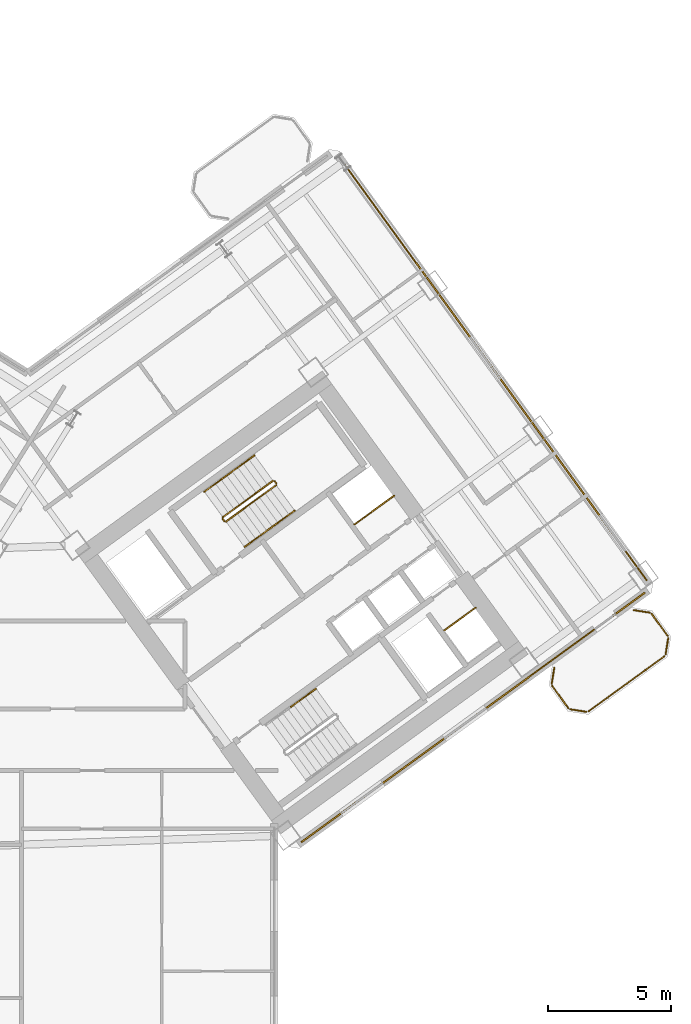
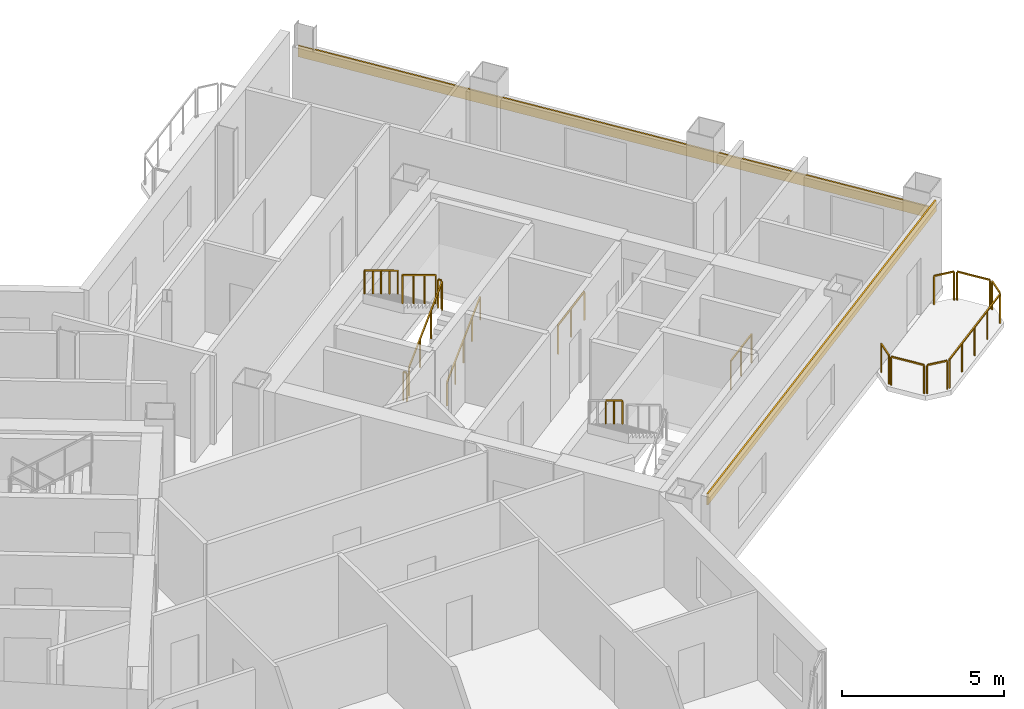
# One storey, part 20 of 21: 18 railings, 2 coverings.
"""IFC4 building model written with IfcOpenShell, lengths in metres."""

from ifc_helpers import new_model, si_unit, direction, frame, origin, origin_2d, place, context, subcontext, project, spatial, rectangle, extrude, source, transform, mapped, material, layer, layer_set, type_object, element, save


model = new_model("IFC4")

# Units and contexts
model_context = context("Model", 3, precision=1e-05, world=origin(), true_north=direction((0.0, 1.0)))
body_context = subcontext(model_context, "Body", "Model", "MODEL_VIEW")
ifc_project = project(units=[si_unit("LENGTHUNIT", "METRE"), si_unit("AREAUNIT", "SQUARE_METRE"), si_unit("VOLUMEUNIT", "CUBIC_METRE"), si_unit("PLANEANGLEUNIT", "RADIAN"), si_unit("MASSUNIT", "GRAM", prefix="KILO")], contexts=[model_context])

# Site, building, storey
site_placement = place(None, origin())
site = spatial("IfcSite", under=ifc_project, at=site_placement, CompositionType="ELEMENT")
building_placement = place(site_placement, origin())
building = spatial("IfcBuilding", under=site, at=building_placement, Name="Tlacorven Tower", CompositionType="ELEMENT")
storey_placement = place(building_placement, frame((0.0, 0.0, 90.0)))
storey = spatial("IfcBuildingStorey", under=building, at=storey_placement, Name="L22", CompositionType="ELEMENT", Elevation=90.0)

# Railings
ifc_material_1 = material(Name="Aluminium and painted steel balustrade", Category="steel")
railing_type_1 = type_object("IfcRailingType", Name="RL-GRD-1100", PredefinedType="GUARDRAIL", material=ifc_material_1)
shared_shape_1 = source(origin(), body_context, "Body", "SweptSolid", [
    extrude(rectangle(XDim=0.048095703125, YDim=0.048095703125, at=origin_2d()), frame((0.0, 0.0, 1.076171875), z_axis=(0.808947177504, 0.587881334972, 0.0), x_axis=(-0.587881334972, 0.808947177504, 0.0)), (0.0, 0.0, 1.0), 2.0),
    extrude(rectangle(XDim=0.0419921875, YDim=0.0419921875, at=origin_2d()), origin(), (0.0, 0.0, 1.0), 1.052001953125),
    extrude(rectangle(XDim=0.0419921875, YDim=0.0419921875, at=origin_2d()), frame((0.80908203125, 0.587890625, 0.0)), (0.0, 0.0, 1.0), 1.052001953125),
    extrude(rectangle(XDim=0.0419921875, YDim=0.0419921875, at=origin_2d()), frame((1.617919921875, 1.17578125, 0.0)), (0.0, 0.0, 1.0), 1.052001953125),
])
railing_1_placement = place(storey_placement, frame((55.506103515625, 25.438232421875, 0.0)))
element("IfcRailing", 1, at=railing_1_placement, inside=storey, type_object=railing_type_1, Name="L22 Electrical Riser E Shaft Guard 1", PredefinedType="GUARDRAIL", context=body_context, shape_type="MappedRepresentation", body=[
    mapped(shared_shape_1, transform((0.0, 0.0, 0.0), scale=1.0)),
])
shared_shape_2 = source(origin(), body_context, "Body", "SweptSolid", [
    extrude(rectangle(XDim=0.048095703125, YDim=0.048095703125, at=origin_2d()), frame((0.0, 0.0, 1.076171875), z_axis=(0.809029975545, 0.58776738483, 0.0), x_axis=(-0.58776738483, 0.809029975545, 0.0)), (0.0, 0.0, 1.0), 1.580078125),
    extrude(rectangle(XDim=0.0419921875, YDim=0.0419921875, at=origin_2d()), origin(), (0.0, 0.0, 1.0), 1.052001953125),
    extrude(rectangle(XDim=0.0419921875, YDim=0.0419921875, at=origin_2d()), frame((0.63916015625, 0.46435546875, 0.0)), (0.0, 0.0, 1.0), 1.052001953125),
    extrude(rectangle(XDim=0.0419921875, YDim=0.0419921875, at=origin_2d()), frame((1.2783203125, 0.9287109375, 0.0)), (0.0, 0.0, 1.0), 1.052001953125),
])
railing_2_placement = place(storey_placement, frame((59.160888671875, 21.122314453125, 0.0)))
element("IfcRailing", 2, at=railing_2_placement, inside=storey, type_object=railing_type_1, Name="L22 Smoke Riser E Shaft Guard 1", PredefinedType="GUARDRAIL", context=body_context, shape_type="MappedRepresentation", body=[
    mapped(shared_shape_2, transform((0.0, 0.0, 0.0), scale=1.0)),
])
railing_type_2 = type_object("IfcRailingType", Name="RL-BAL-1100", PredefinedType="BALUSTRADE", material=ifc_material_1)
shared_shape_3 = source(origin(), body_context, "Body", "SweptSolid", [
    extrude(rectangle(XDim=0.048095703125, YDim=0.048095703125, at=origin_2d()), frame((0.0, 0.0, 1.076171875), z_axis=(0.156602868908, 0.987661653326, 0.0), x_axis=(-0.987661653326, 0.156602868908, 0.0)), (0.0, 0.0, 1.0), 0.665771484375),
    extrude(rectangle(XDim=0.0419921875, YDim=0.0419921875, at=origin_2d()), origin(), (0.0, 0.0, 1.0), 1.052001953125),
    extrude(rectangle(XDim=0.0419921875, YDim=0.0419921875, at=origin_2d()), frame((0.104248046875, 0.657470703125, 0.0)), (0.0, 0.0, 1.0), 1.052001953125),
])
railing_3_placement = place(storey_placement, frame((63.539306640625, 18.949951171875, 0.0)))
element("IfcRailing", 3, at=railing_3_placement, inside=storey, type_object=railing_type_2, Name="BAL-L22-E-OUT Guard Railing 3", PredefinedType="BALUSTRADE", context=body_context, shape_type="MappedRepresentation", body=[
    mapped(shared_shape_3, transform((0.0, 0.0, 0.0), scale=1.0)),
])
shared_shape_4 = source(origin(), body_context, "Body", "SweptSolid", [
    extrude(rectangle(XDim=0.048095703125, YDim=0.048095703125, at=origin_2d()), frame((0.0, 0.0, 1.076171875), z_axis=(0.58788449985, -0.808944877501, 0.0), x_axis=(0.808944877501, 0.58788449985, 0.0)), (0.0, 0.0, 1.0), 1.112060546875),
    extrude(rectangle(XDim=0.0419921875, YDim=0.0419921875, at=origin_2d()), origin(), (0.0, 0.0, 1.0), 1.052001953125),
    extrude(rectangle(XDim=0.0419921875, YDim=0.0419921875, at=origin_2d()), frame((0.65380859375, -0.899658203125, 0.0)), (0.0, 0.0, 1.0), 1.052001953125),
])
railing_4_placement = place(storey_placement, frame((67.60595703125, 21.799072265625, 0.0)))
element("IfcRailing", 4, at=railing_4_placement, inside=storey, type_object=railing_type_2, Name="BAL-L22-E-OUT Guard Railing 5", PredefinedType="BALUSTRADE", context=body_context, shape_type="MappedRepresentation", body=[
    mapped(shared_shape_4, transform((0.0, 0.0, 0.0), scale=1.0)),
])
shared_shape_5 = source(origin(), body_context, "Body", "SweptSolid", [
    extrude(rectangle(XDim=0.048095703125, YDim=0.048095703125, at=origin_2d()), frame((0.0, 0.0, 1.076171875), z_axis=(-0.809018102573, -0.587783726986, 0.0), x_axis=(0.587783726986, -0.809018102573, 0.0)), (0.0, 0.0, 1.0), 3.817138671875),
    extrude(rectangle(XDim=0.0419921875, YDim=0.0419921875, at=origin_2d()), origin(), (0.0, 0.0, 1.0), 1.052001953125),
    extrude(rectangle(XDim=0.0419921875, YDim=0.0419921875, at=origin_2d()), frame((-0.77197265625, -0.56103515625, 0.0)), (0.0, 0.0, 1.0), 1.052001953125),
    extrude(rectangle(XDim=0.0419921875, YDim=0.0419921875, at=origin_2d()), frame((-1.5439453125, -1.121826171875, 0.0)), (0.0, 0.0, 1.0), 1.052001953125),
    extrude(rectangle(XDim=0.0419921875, YDim=0.0419921875, at=origin_2d()), frame((-2.316162109375, -1.6826171875, 0.0)), (0.0, 0.0, 1.0), 1.052001953125),
    extrude(rectangle(XDim=0.0419921875, YDim=0.0419921875, at=origin_2d()), frame((-3.088134765625, -2.24365234375, 0.0)), (0.0, 0.0, 1.0), 1.052001953125),
])
railing_5_placement = place(storey_placement, frame((68.12890625, 20.0732421875, 0.0)))
element("IfcRailing", 5, at=railing_5_placement, inside=storey, type_object=railing_type_2, Name="BAL-L22-E-OUT Guard Railing 7", PredefinedType="BALUSTRADE", context=body_context, shape_type="MappedRepresentation", body=[
    mapped(shared_shape_5, transform((0.0, 0.0, 0.0), scale=1.0)),
])
shared_shape_6 = source(origin(), body_context, "Body", "SweptSolid", [
    extrude(rectangle(XDim=0.048095703125, YDim=0.048095703125, at=origin_2d()), frame((0.0, 0.0, 1.076171875), z_axis=(-0.987718317463, 0.156245081039, 0.0), x_axis=(-0.156245081039, -0.987718317463, 0.0)), (0.0, 0.0, 1.0), 0.66552734375),
    extrude(rectangle(XDim=0.0419921875, YDim=0.0419921875, at=origin_2d()), origin(), (0.0, 0.0, 1.0), 1.052001953125),
    extrude(rectangle(XDim=0.0419921875, YDim=0.0419921875, at=origin_2d()), frame((-0.657470703125, 0.10400390625, 0.0)), (0.0, 0.0, 1.0), 1.052001953125),
])
railing_6_placement = place(storey_placement, frame((64.950927734375, 17.80810546875, 0.0)))
element("IfcRailing", 6, at=railing_6_placement, inside=storey, type_object=railing_type_2, Name="BAL-L22-E-OUT Guard Railing 1", PredefinedType="BALUSTRADE", context=body_context, shape_type="MappedRepresentation", body=[
    mapped(shared_shape_6, transform((0.0, 0.0, 0.0), scale=1.0)),
])
shared_shape_7 = source(origin(), body_context, "Body", "SweptSolid", [
    extrude(rectangle(XDim=0.048095703125, YDim=0.048095703125, at=origin_2d()), frame((0.0, 0.0, 1.076171875), z_axis=(-0.587740817519, 0.809049276263, 0.0), x_axis=(-0.809049276263, -0.587740817519, 0.0)), (0.0, 0.0, 1.0), 1.112060546875),
    extrude(rectangle(XDim=0.0419921875, YDim=0.0419921875, at=origin_2d()), origin(), (0.0, 0.0, 1.0), 1.052001953125),
    extrude(rectangle(XDim=0.0419921875, YDim=0.0419921875, at=origin_2d()), frame((-0.653564453125, 0.899658203125, 0.0)), (0.0, 0.0, 1.0), 1.052001953125),
])
railing_7_placement = place(storey_placement, frame((64.214599609375, 17.96044921875, 0.0)))
element("IfcRailing", 7, at=railing_7_placement, inside=storey, type_object=railing_type_2, Name="BAL-L22-E-OUT Guard Railing 2", PredefinedType="BALUSTRADE", context=body_context, shape_type="MappedRepresentation", body=[
    mapped(shared_shape_7, transform((0.0, 0.0, 0.0), scale=1.0)),
])
shared_shape_8 = source(origin(), body_context, "Body", "SweptSolid", [
    extrude(rectangle(XDim=0.048095703125, YDim=0.048095703125, at=origin_2d()), frame((0.0, 0.0, 1.076171875), z_axis=(-0.156245081039, -0.987718317463, 0.0), x_axis=(0.987718317463, -0.156245081039, 0.0)), (0.0, 0.0, 1.0), 0.66552734375),
    extrude(rectangle(XDim=0.0419921875, YDim=0.0419921875, at=origin_2d()), origin(), (0.0, 0.0, 1.0), 1.052001953125),
    extrude(rectangle(XDim=0.0419921875, YDim=0.0419921875, at=origin_2d()), frame((-0.10400390625, -0.657470703125, 0.0)), (0.0, 0.0, 1.0), 1.052001953125),
])
railing_8_placement = place(storey_placement, frame((68.28125, 20.8095703125, 0.0)))
element("IfcRailing", 8, at=railing_8_placement, inside=storey, type_object=railing_type_2, Name="BAL-L22-E-OUT Guard Railing 6", PredefinedType="BALUSTRADE", context=body_context, shape_type="MappedRepresentation", body=[
    mapped(shared_shape_8, transform((0.0, 0.0, 0.0), scale=1.0)),
])

# Coverings
ifc_material_2 = material(Name="Precast concrete C45/55", Category="concrete")
ifc_layer = layer(ifc_material_2, 0.06005859375)
ifc_layer_set = layer_set([ifc_layer], Name="Precast concrete C45/55")
covering_type = type_object("IfcCoveringType", Name="CV-CLD-TERC", PredefinedType="CLADDING", material=ifc_layer_set)
shared_shape_9 = source(origin(), body_context, "Body", "SweptSolid", [
    extrude(rectangle(XDim=21.287353515625, YDim=0.06005859375, at=origin_2d()), origin(), (0.0, 0.0, 1.0), 0.419921875),
])
covering_1_placement = place(storey_placement, frame((61.15478515625, 31.767333984375, 2.35498046875), z_axis=(0.0, 0.0, 1.0), x_axis=(0.587785363163, -0.809016913823, 0.0)))
element("IfcCovering", 9, at=covering_1_placement, inside=storey, type_object=covering_type, Name="L22 Masonry-Frame Spandrel Cladding 5", PredefinedType="CLADDING", context=body_context, shape_type="MappedRepresentation", body=[
    mapped(shared_shape_9, transform((0.0, 0.0, 0.0), scale=1.0)),
])
shared_shape_10 = source(origin(), body_context, "Body", "SweptSolid", [
    extrude(rectangle(XDim=17.287353515625, YDim=0.06005859375, at=origin_2d()), origin(), (0.0, 0.0, 1.0), 0.419921875),
])
covering_2_placement = place(storey_placement, frame((60.339111328125, 17.578125, 2.929931640625), z_axis=(0.0, 0.0, 1.0), x_axis=(-0.809016829126, -0.587785479738, 0.0)))
element("IfcCovering", 10, at=covering_2_placement, inside=storey, type_object=covering_type, Name="L22 Masonry-Frame Spandrel Cladding 6", PredefinedType="CLADDING", context=body_context, shape_type="MappedRepresentation", body=[
    mapped(shared_shape_10, transform((0.0, 0.0, 0.0), scale=1.0)),
])

# Railings
shared_shape_11 = source(origin(), body_context, "Body", "SweptSolid", [
    extrude(rectangle(XDim=0.048095703125, YDim=0.048095703125, at=origin_2d()), frame((0.0, 0.0, 1.076171875), z_axis=(0.987727266442, -0.156188498702, 0.0), x_axis=(0.156188498702, 0.987727266442, 0.0)), (0.0, 0.0, 1.0), 0.665771484375),
    extrude(rectangle(XDim=0.0419921875, YDim=0.0419921875, at=origin_2d()), origin(), (0.0, 0.0, 1.0), 1.052001953125),
    extrude(rectangle(XDim=0.0419921875, YDim=0.0419921875, at=origin_2d()), frame((0.65771484375, -0.10400390625, 0.0)), (0.0, 0.0, 1.0), 1.052001953125),
])
railing_9_placement = place(storey_placement, frame((66.86962890625, 21.951416015625, 0.0)))
element("IfcRailing", 11, at=railing_9_placement, inside=storey, type_object=railing_type_2, Name="BAL-L22-E-OUT Guard Railing 4", PredefinedType="BALUSTRADE", context=body_context, shape_type="MappedRepresentation", body=[
    mapped(shared_shape_11, transform((0.0, 0.0, 0.0), scale=1.0)),
])
shared_shape_12 = source(origin(), body_context, "Body", "SweptSolid", [
    extrude(rectangle(XDim=0.048095703125, YDim=0.048095703125, at=origin_2d()), frame((0.0, 0.0, 1.076171875), z_axis=(-0.587201422542, 0.809440849824, 0.0), x_axis=(-0.809440849824, -0.587201422542, 0.0)), (0.0, 0.0, 1.0), 0.11962890625),
    extrude(rectangle(XDim=0.0419921875, YDim=0.0419921875, at=origin_2d()), origin(), (0.0, 0.0, 1.0), 1.052001953125),
    extrude(rectangle(XDim=0.0419921875, YDim=0.0419921875, at=origin_2d()), frame((-0.0703125, 0.096923828125, 0.0)), (0.0, 0.0, 1.0), 1.052001953125),
])
for number, where, name in (
    (12, (52.326904296875, 27.10888671875, 1.800048828125), "L22 ST-E1 stair guard 2"),
    (13, (50.207275390625, 25.56884765625, 0.0), "L22 ST-E1 stair guard 4"),
):
    element("IfcRailing", number, at=place(storey_placement, frame(where)), inside=storey, type_object=railing_type_1, Name=name, PredefinedType="GUARDRAIL", context=body_context, shape_type="MappedRepresentation", body=[
        mapped(shared_shape_12, transform((0.0, 0.0, 0.0), scale=1.0)),
    ])
shared_shape_13 = source(origin(), body_context, "Body", "SweptSolid", [
    extrude(rectangle(XDim=0.048095703125, YDim=0.048095703125, at=origin_2d()), frame((0.0, 0.0, 1.076171875), z_axis=(0.680488636597, 0.494434078831, 0.540805100894), x_axis=(-0.5878087079, 0.808999952359, 0.0)), (0.0, 0.0, 1.0), 2.995849609375),
    extrude(rectangle(XDim=0.0419921875, YDim=0.0419921875, at=origin_2d()), origin(), (0.0, 0.0, 1.0), 1.052001953125),
    extrude(rectangle(XDim=0.0419921875, YDim=0.0419921875, at=origin_2d()), frame((0.679443359375, 0.49365234375, 0.5400390625)), (0.0, 0.0, 1.0), 1.052001953125),
    extrude(rectangle(XDim=0.0419921875, YDim=0.0419921875, at=origin_2d()), frame((1.359130859375, 0.987548828125, 1.080078125)), (0.0, 0.0, 1.0), 1.052001953125),
    extrude(rectangle(XDim=0.0419921875, YDim=0.0419921875, at=origin_2d()), frame((2.03857421875, 1.481201171875, 1.6201171875)), (0.0, 0.0, 1.0), 1.052001953125),
])
railing_10_placement = place(storey_placement, frame((50.27734375, 25.557861328125, 0.179931640625)))
element("IfcRailing", 14, at=railing_10_placement, inside=storey, type_object=railing_type_1, Name="L22 ST-E1 stair guard 1", PredefinedType="GUARDRAIL", context=body_context, shape_type="MappedRepresentation", body=[
    mapped(shared_shape_13, transform((0.0, 0.0, 0.0), scale=1.0)),
])
shared_shape_14 = source(origin(), body_context, "Body", "SweptSolid", [
    extrude(rectangle(XDim=0.048095703125, YDim=0.048095703125, at=origin_2d()), frame((0.0, 0.0, 1.076171875), z_axis=(-0.680488636597, -0.494434078831, 0.540805100894), x_axis=(0.5878087079, -0.808999952359, 0.0)), (0.0, 0.0, 1.0), 2.995849609375),
    extrude(rectangle(XDim=0.0419921875, YDim=0.0419921875, at=origin_2d()), origin(), (0.0, 0.0, 1.0), 1.052001953125),
    extrude(rectangle(XDim=0.0419921875, YDim=0.0419921875, at=origin_2d()), frame((-0.679443359375, -0.49365234375, 0.5400390625)), (0.0, 0.0, 1.0), 1.052001953125),
    extrude(rectangle(XDim=0.0419921875, YDim=0.0419921875, at=origin_2d()), frame((-1.359130859375, -0.987548828125, 1.080078125)), (0.0, 0.0, 1.0), 1.052001953125),
    extrude(rectangle(XDim=0.0419921875, YDim=0.0419921875, at=origin_2d()), frame((-2.03857421875, -1.481201171875, 1.6201171875)), (0.0, 0.0, 1.0), 1.052001953125),
])
railing_11_placement = place(storey_placement, frame((52.1865234375, 27.217041015625, 1.97998046875)))
element("IfcRailing", 15, at=railing_11_placement, inside=storey, type_object=railing_type_1, Name="L22 ST-E1 stair guard 3", PredefinedType="GUARDRAIL", context=body_context, shape_type="MappedRepresentation", body=[
    mapped(shared_shape_14, transform((0.0, 0.0, 0.0), scale=1.0)),
])
railing_type_3 = type_object("IfcRailingType", Name="RL-HND-0900", PredefinedType="HANDRAIL", material=ifc_material_1)
shared_shape_15 = source(origin(), body_context, "Body", "SweptSolid", [
    extrude(rectangle(XDim=0.048095703125, YDim=0.048095703125, at=origin_2d()), frame((0.0, 0.0, 0.8759765625), z_axis=(0.680516055757, 0.494372502302, 0.540826891737), x_axis=(-0.587745292299, 0.809046025502, 0.0)), (0.0, 0.0, 1.0), 1.497802734375),
    extrude(rectangle(XDim=0.0419921875, YDim=0.0419921875, at=origin_2d()), origin(), (0.0, 0.0, 1.0), 0.851806640625),
    extrude(rectangle(XDim=0.0419921875, YDim=0.0419921875, at=origin_2d()), frame((0.509765625, 0.3701171875, 0.405029296875)), (0.0, 0.0, 1.0), 0.851806640625),
    extrude(rectangle(XDim=0.0419921875, YDim=0.0419921875, at=origin_2d()), frame((1.019287109375, 0.740478515625, 0.81005859375)), (0.0, 0.0, 1.0), 0.851806640625),
])
railing_12_placement = place(storey_placement, frame((51.029541015625, 24.522216796875, 0.179931640625)))
element("IfcRailing", 16, at=railing_12_placement, inside=storey, type_object=railing_type_3, Name="L22 ST-E1 stair handrail 1", PredefinedType="HANDRAIL", context=body_context, shape_type="MappedRepresentation", body=[
    mapped(shared_shape_15, transform((0.0, 0.0, 0.0), scale=1.0)),
])
shared_shape_16 = source(origin(), body_context, "Body", "SweptSolid", [
    extrude(rectangle(XDim=0.048095703125, YDim=0.048095703125, at=origin_2d()), frame((0.0, 0.0, 0.8759765625), z_axis=(0.680548719995, 0.49444080854, 0.540723336433), x_axis=(-0.587779977844, 0.80902082646, 0.0)), (0.0, 0.0, 1.0), 1.498046875),
    extrude(rectangle(XDim=0.0419921875, YDim=0.0419921875, at=origin_2d()), origin(), (0.0, 0.0, 1.0), 0.851806640625),
    extrude(rectangle(XDim=0.0419921875, YDim=0.0419921875, at=origin_2d()), frame((0.509765625, 0.370361328125, 0.405029296875)), (0.0, 0.0, 1.0), 0.851806640625),
    extrude(rectangle(XDim=0.0419921875, YDim=0.0419921875, at=origin_2d()), frame((1.01953125, 0.74072265625, 0.81005859375)), (0.0, 0.0, 1.0), 0.851806640625),
])
railing_13_placement = place(storey_placement, frame((52.048828125, 25.2626953125, 0.989990234375)))
element("IfcRailing", 17, at=railing_13_placement, inside=storey, type_object=railing_type_3, Name="L22 ST-E1 stair handrail 2", PredefinedType="HANDRAIL", context=body_context, shape_type="MappedRepresentation", body=[
    mapped(shared_shape_16, transform((0.0, 0.0, 0.0), scale=1.0)),
])
shared_shape_17 = source(origin(), body_context, "Body", "SweptSolid", [
    extrude(rectangle(XDim=0.048095703125, YDim=0.048095703125, at=origin_2d()), frame((0.0, 0.0, 0.8759765625), z_axis=(-0.680603554404, -0.494317667746, 0.540766904577), x_axis=(0.587653156371, -0.809112951205, 0.0)), (0.0, 0.0, 1.0), 1.498046875),
    extrude(rectangle(XDim=0.0419921875, YDim=0.0419921875, at=origin_2d()), origin(), (0.0, 0.0, 1.0), 0.851806640625),
    extrude(rectangle(XDim=0.0419921875, YDim=0.0419921875, at=origin_2d()), frame((-0.509765625, -0.3701171875, 0.405029296875)), (0.0, 0.0, 1.0), 0.851806640625),
    extrude(rectangle(XDim=0.0419921875, YDim=0.0419921875, at=origin_2d()), frame((-1.01953125, -0.740478515625, 0.81005859375)), (0.0, 0.0, 1.0), 0.851806640625),
])
railing_14_placement = place(storey_placement, frame((51.434326171875, 28.25244140625, 1.97998046875)))
element("IfcRailing", 18, at=railing_14_placement, inside=storey, type_object=railing_type_3, Name="L22 ST-E1 stair handrail 3", PredefinedType="HANDRAIL", context=body_context, shape_type="MappedRepresentation", body=[
    mapped(shared_shape_17, transform((0.0, 0.0, 0.0), scale=1.0)),
])
shared_shape_18 = source(origin(), body_context, "Body", "SweptSolid", [
    extrude(rectangle(XDim=0.048095703125, YDim=0.048095703125, at=origin_2d()), frame((0.0, 0.0, 0.8759765625), z_axis=(-0.680461216233, -0.494495647917, 0.540783309093), x_axis=(0.587872112667, -0.808953879494, 0.0)), (0.0, 0.0, 1.0), 1.498046875),
    extrude(rectangle(XDim=0.0419921875, YDim=0.0419921875, at=origin_2d()), origin(), (0.0, 0.0, 1.0), 0.851806640625),
    extrude(rectangle(XDim=0.0419921875, YDim=0.0419921875, at=origin_2d()), frame((-0.509765625, -0.370361328125, 0.405029296875)), (0.0, 0.0, 1.0), 0.851806640625),
    extrude(rectangle(XDim=0.0419921875, YDim=0.0419921875, at=origin_2d()), frame((-1.019287109375, -0.74072265625, 0.81005859375)), (0.0, 0.0, 1.0), 0.851806640625),
])
railing_15_placement = place(storey_placement, frame((50.414794921875, 27.511962890625, 2.7900390625)))
element("IfcRailing", 19, at=railing_15_placement, inside=storey, type_object=railing_type_3, Name="L22 ST-E1 stair handrail 4", PredefinedType="HANDRAIL", context=body_context, shape_type="MappedRepresentation", body=[
    mapped(shared_shape_18, transform((0.0, 0.0, 0.0), scale=1.0)),
])
shared_shape_19 = source(origin(), body_context, "Body", "SweptSolid", [
    extrude(rectangle(XDim=0.048095703125, YDim=0.048095703125, at=origin_2d()), frame((0.0, 0.0, 0.8759765625), z_axis=(-0.680516055757, -0.494372502302, 0.540826891737), x_axis=(0.587745292299, -0.809046025502, 0.0)), (0.0, 0.0, 1.0), 1.497802734375),
    extrude(rectangle(XDim=0.0419921875, YDim=0.0419921875, at=origin_2d()), origin(), (0.0, 0.0, 1.0), 0.851806640625),
    extrude(rectangle(XDim=0.0419921875, YDim=0.0419921875, at=origin_2d()), frame((-0.509765625, -0.3701171875, 0.405029296875)), (0.0, 0.0, 1.0), 0.851806640625),
    extrude(rectangle(XDim=0.0419921875, YDim=0.0419921875, at=origin_2d()), frame((-1.019287109375, -0.740478515625, 0.81005859375)), (0.0, 0.0, 1.0), 0.851806640625),
])
railing_16_placement = place(storey_placement, frame((53.938232421875, 18.749267578125, 1.97998046875)))
element("IfcRailing", 20, at=railing_16_placement, inside=storey, type_object=railing_type_3, Name="L22 ST-E2 stair handrail 3", PredefinedType="HANDRAIL", context=body_context, shape_type="MappedRepresentation", body=[
    mapped(shared_shape_19, transform((0.0, 0.0, 0.0), scale=1.0)),
])

save(model, "model.ifc")
